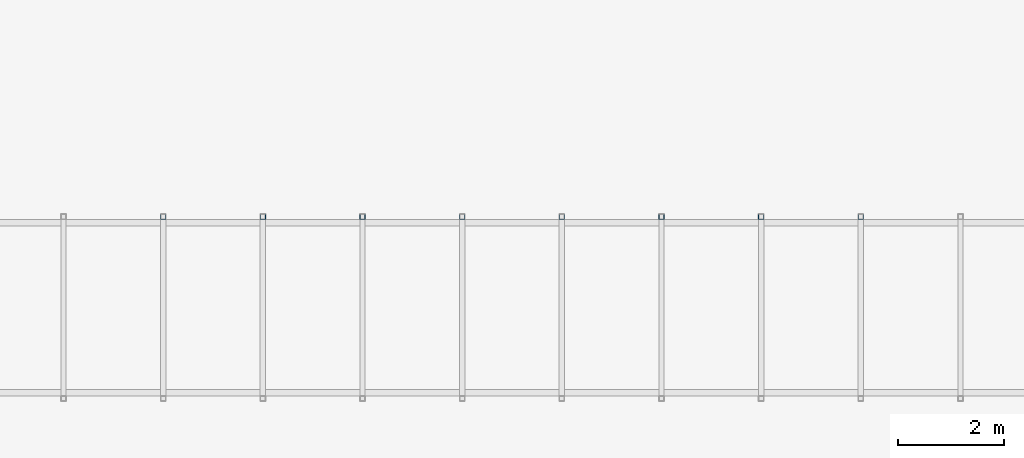
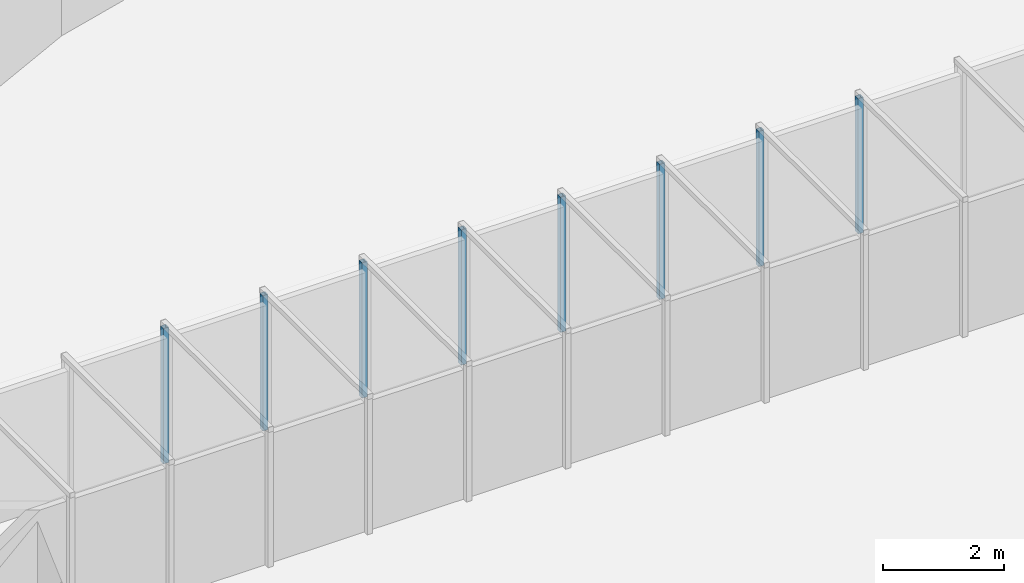
# One storey, part 16 of 85: 8 members, 1 element without a shape of its own.
"""IFC4 building model written with IfcOpenShell, lengths in metres."""

from ifc_helpers import new_model, si_unit, direction, frame, origin, origin_2d, place, context, subcontext, project, spatial, hollow_rectangle, extrude, material, material_profile, profile_set, type_object, element, aggregate, save


model = new_model("IFC4")

# Units and contexts
model_context = context("Model", 3, precision=1e-05, world=origin(), true_north=direction((0.0, 1.0)))
body_context = subcontext(model_context, "Body", "Model", "MODEL_VIEW")
ifc_project = project(units=[si_unit("LENGTHUNIT", "METRE"), si_unit("AREAUNIT", "SQUARE_METRE"), si_unit("VOLUMEUNIT", "CUBIC_METRE"), si_unit("PLANEANGLEUNIT", "RADIAN"), si_unit("MASSUNIT", "GRAM", prefix="KILO")], contexts=[model_context])

# Site, building, storey
site_placement = place(None, origin())
site = spatial("IfcSite", under=ifc_project, at=site_placement, CompositionType="ELEMENT")
building_placement = place(site_placement, origin())
building = spatial("IfcBuilding", under=site, at=building_placement, Name="Volute Hill Aquarium", CompositionType="ELEMENT")
storey_placement = place(building_placement, origin())
storey = spatial("IfcBuildingStorey", under=building, at=storey_placement, Name="L01", CompositionType="ELEMENT", Elevation=0.0)

# Curtain wall, members
ifc_material_1 = material(Name="Acrylic PMMA")
curtain_wall_type = type_object("IfcCurtainWallType", Name="Viewing tunnel acrylic assembly", PredefinedType="NOTDEFINED", material=ifc_material_1)
curtain_wall_placement = place(storey_placement, origin())
curtain_wall = element("IfcCurtainWall", 1, at=curtain_wall_placement, inside=storey, type_object=curtain_wall_type, Name="Viewing tunnel acrylic assembly", PredefinedType="NOTDEFINED")
ifc_material_2 = material(Name="Steel S355", Category="steel")
ifc_material_profile = material_profile(ifc_material_2, hollow_rectangle(XDim=0.10009765625, YDim=0.10009765625, WallThickness=0.0048828125, at=origin_2d()), Name="RHS 100x100x5")
ifc_profile_set = profile_set([ifc_material_profile], Name="Steel S355")
member_type = type_object("IfcMemberType", Name="Tunnel ring frame post RHS 100x100x5 S355", PredefinedType="USERDEFINED", material=ifc_profile_set)
member_1_placement = place(storey_placement, frame((-9.43115234375, 1.719970703125, 0.0), z_axis=(0.0, 0.0, 1.0), x_axis=(1.0, 0.0, 0.0)))
member_1 = element("IfcMember", 2, at=member_1_placement, type_object=member_type, Name="Tunnel ring frame post 4", ObjectType="Tunnel frame", PredefinedType="USERDEFINED", context=body_context, shape_type="SweptSolid", body=[
    extrude(hollow_rectangle(XDim=0.10009765625, YDim=0.10009765625, WallThickness=0.0048828125, at=origin_2d()), origin(), (0.0, 0.0, 1.0), 2.719970703125),
])
member_2_placement = place(storey_placement, frame((-7.544921875, 1.719970703125, 0.0), z_axis=(0.0, 0.0, 1.0), x_axis=(1.0, 0.0, 0.0)))
member_2 = element("IfcMember", 3, at=member_2_placement, type_object=member_type, Name="Tunnel ring frame post 5", ObjectType="Tunnel frame", PredefinedType="USERDEFINED", context=body_context, shape_type="SweptSolid", body=[
    extrude(hollow_rectangle(XDim=0.10009765625, YDim=0.10009765625, WallThickness=0.0048828125, at=origin_2d()), origin(), (0.0, 0.0, 1.0), 2.719970703125),
])
member_3_placement = place(storey_placement, frame((-5.65869140625, 1.719970703125, 0.0), z_axis=(0.0, 0.0, 1.0), x_axis=(1.0, 0.0, 0.0)))
member_3 = element("IfcMember", 4, at=member_3_placement, type_object=member_type, Name="Tunnel ring frame post 6", ObjectType="Tunnel frame", PredefinedType="USERDEFINED", context=body_context, shape_type="SweptSolid", body=[
    extrude(hollow_rectangle(XDim=0.10009765625, YDim=0.10009765625, WallThickness=0.0048828125, at=origin_2d()), origin(), (0.0, 0.0, 1.0), 2.719970703125),
])
member_4_placement = place(storey_placement, frame((-3.7724609375, 1.719970703125, 0.0), z_axis=(0.0, 0.0, 1.0), x_axis=(1.0, 0.0, 0.0)))
member_4 = element("IfcMember", 5, at=member_4_placement, type_object=member_type, Name="Tunnel ring frame post 7", ObjectType="Tunnel frame", PredefinedType="USERDEFINED", context=body_context, shape_type="SweptSolid", body=[
    extrude(hollow_rectangle(XDim=0.10009765625, YDim=0.10009765625, WallThickness=0.0048828125, at=origin_2d()), origin(), (0.0, 0.0, 1.0), 2.719970703125),
])
member_5_placement = place(storey_placement, frame((-1.88623046875, 1.719970703125, 0.0), z_axis=(0.0, 0.0, 1.0), x_axis=(1.0, 0.0, 0.0)))
member_5 = element("IfcMember", 6, at=member_5_placement, type_object=member_type, Name="Tunnel ring frame post 8", ObjectType="Tunnel frame", PredefinedType="USERDEFINED", context=body_context, shape_type="SweptSolid", body=[
    extrude(hollow_rectangle(XDim=0.10009765625, YDim=0.10009765625, WallThickness=0.0048828125, at=origin_2d()), origin(), (0.0, 0.0, 1.0), 2.719970703125),
])
member_6_placement = place(storey_placement, frame((0.0, 1.719970703125, 0.0), z_axis=(0.0, 0.0, 1.0), x_axis=(1.0, 0.0, 0.0)))
member_6 = element("IfcMember", 7, at=member_6_placement, type_object=member_type, Name="Tunnel ring frame post 9", ObjectType="Tunnel frame", PredefinedType="USERDEFINED", context=body_context, shape_type="SweptSolid", body=[
    extrude(hollow_rectangle(XDim=0.10009765625, YDim=0.10009765625, WallThickness=0.0048828125, at=origin_2d()), origin(), (0.0, 0.0, 1.0), 2.719970703125),
])
member_7_placement = place(storey_placement, frame((1.88623046875, 1.719970703125, 0.0), z_axis=(0.0, 0.0, 1.0), x_axis=(1.0, 0.0, 0.0)))
member_7 = element("IfcMember", 8, at=member_7_placement, type_object=member_type, Name="Tunnel ring frame post 10", ObjectType="Tunnel frame", PredefinedType="USERDEFINED", context=body_context, shape_type="SweptSolid", body=[
    extrude(hollow_rectangle(XDim=0.10009765625, YDim=0.10009765625, WallThickness=0.0048828125, at=origin_2d()), origin(), (0.0, 0.0, 1.0), 2.719970703125),
])
member_8_placement = place(storey_placement, frame((3.7724609375, 1.719970703125, 0.0), z_axis=(0.0, 0.0, 1.0), x_axis=(1.0, 0.0, 0.0)))
member_8 = element("IfcMember", 9, at=member_8_placement, type_object=member_type, Name="Tunnel ring frame post 11", ObjectType="Tunnel frame", PredefinedType="USERDEFINED", context=body_context, shape_type="SweptSolid", body=[
    extrude(hollow_rectangle(XDim=0.10009765625, YDim=0.10009765625, WallThickness=0.0048828125, at=origin_2d()), origin(), (0.0, 0.0, 1.0), 2.719970703125),
])
aggregate(curtain_wall, [member_1, member_2, member_3, member_4, member_5, member_6, member_7, member_8])

save(model, "model.ifc")
